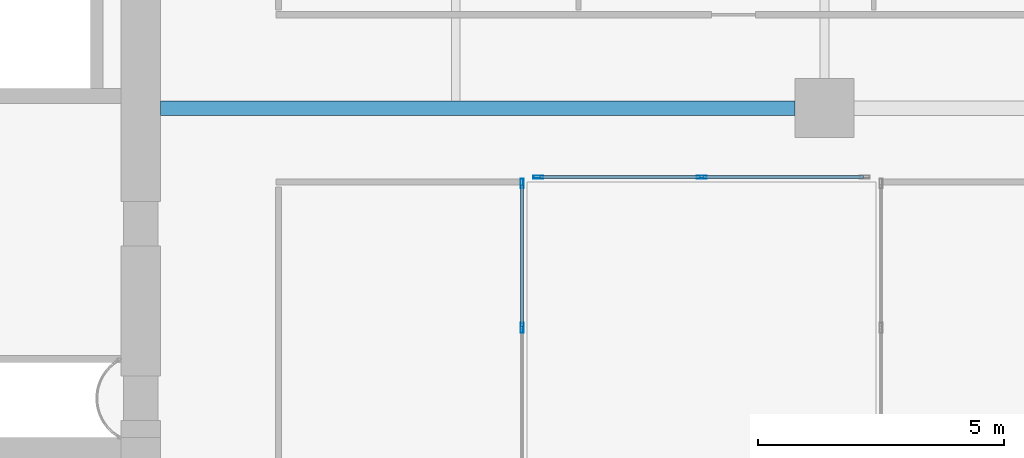
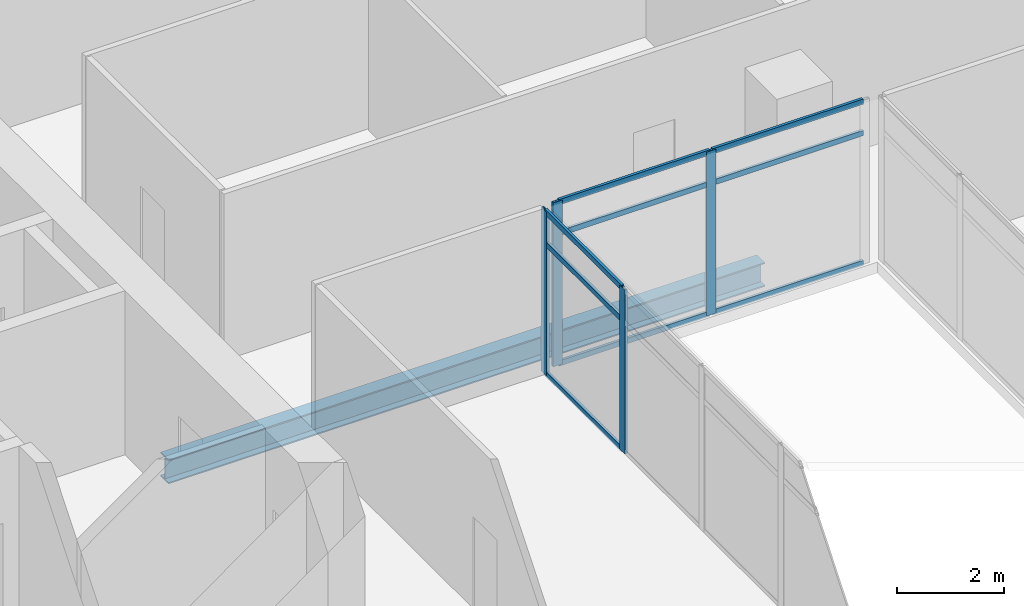
# One storey, part 7 of 40: 13 members, 1 beam, 2 elements without a shape of their own.
"""IFC4 building model written with IfcOpenShell, lengths in metres."""

from ifc_helpers import new_model, si_unit, direction, frame, origin, origin_2d, place, context, subcontext, project, spatial, hollow_rectangle, i_section, extrude, source, transform, mapped, material, material_profile, profile_set, type_object, element, aggregate, save


model = new_model("IFC4")

# Units and contexts
model_context = context("Model", 3, precision=1e-05, world=origin(), true_north=direction((0.0, 1.0)))
body_context = subcontext(model_context, "Body", "Model", "MODEL_VIEW")
ifc_project = project(units=[si_unit("LENGTHUNIT", "METRE"), si_unit("AREAUNIT", "SQUARE_METRE"), si_unit("VOLUMEUNIT", "CUBIC_METRE"), si_unit("PLANEANGLEUNIT", "RADIAN"), si_unit("MASSUNIT", "GRAM", prefix="KILO")], contexts=[model_context])

# Site, building, storey
site_placement = place(None, origin())
site = spatial("IfcSite", under=ifc_project, at=site_placement, CompositionType="ELEMENT")
building_placement = place(site_placement, origin())
building = spatial("IfcBuilding", under=site, at=building_placement, Name="Khomas Fold Tower", CompositionType="ELEMENT")
storey_placement = place(building_placement, frame((0.0, 0.0, 184.699951171875)))
storey = spatial("IfcBuildingStorey", under=building, at=storey_placement, Name="L40", CompositionType="ELEMENT", Elevation=184.699951171875)

# Beam
ifc_material_1 = material(Name="Steel S355", Category="steel")
ifc_material_profile_1 = material_profile(ifc_material_1, i_section(OverallWidth=0.300048828125, OverallDepth=0.550048828125, WebThickness=0.014892578125, FlangeThickness=0.029052734375, at=origin_2d()), Name="HE 550 B")
ifc_profile_set_1 = profile_set([ifc_material_profile_1], Name="Steel S355")
beam_type = type_object("IfcBeamType", Name="HE 550 B beam GB4", PredefinedType="BEAM", material=ifc_profile_set_1)
shared_shape_1 = source(origin(), body_context, "Body", "SweptSolid", [
    extrude(i_section(OverallWidth=0.300048828125, OverallDepth=0.550048828125, WebThickness=0.014892578125, FlangeThickness=0.029052734375, at=origin_2d()), origin(), (0.0, 0.0, 1.0), 12.89990234375),
])
beam_placement = place(storey_placement, frame((21.0, 22.5, -0.52490234375), z_axis=(1.0, 0.0, 0.0), x_axis=(0.0, 1.0, 0.0)))
element("IfcBeam", 1, at=beam_placement, inside=storey, type_object=beam_type, Name="GB4", PredefinedType="BEAM", context=body_context, shape_type="MappedRepresentation", body=[
    mapped(shared_shape_1, transform((0.0, 0.0, 0.0))),
])

# Curtain wall, members
ifc_material_2 = material(Name="Aluminium framed double glazing", Category="aluminium")
curtain_wall_type = type_object("IfcCurtainWallType", Name="Notch glazing GN-CW", PredefinedType="NOTDEFINED", material=ifc_material_2)
curtain_wall_1_placement = place(storey_placement, origin())
curtain_wall_1 = element("IfcCurtainWall", 2, at=curtain_wall_1_placement, inside=storey, type_object=curtain_wall_type, Name="Notch glazing run", PredefinedType="NOTDEFINED")
ifc_material_3 = material(Name="Aluminium", Category="aluminium")
ifc_material_profile_2 = material_profile(ifc_material_3, hollow_rectangle(XDim=0.06005859375, YDim=0.1201171875, WallThickness=0.00390625, at=origin_2d()), Name="Notch glazing transom GN-CW-T")
ifc_profile_set_2 = profile_set([ifc_material_profile_2], Name="Aluminium")
member_type_1 = type_object("IfcMemberType", Name="Notch glazing transom GN-CW-T", PredefinedType="USERDEFINED", material=ifc_profile_set_2)
shared_shape_2 = source(origin(), body_context, "Body", "SweptSolid", [
    extrude(hollow_rectangle(XDim=0.06005859375, YDim=0.1201171875, WallThickness=0.00390625, at=origin_2d()), origin(), (0.0, 0.0, 1.0), 2.876708984375),
])
member_1_placement = place(storey_placement, frame((28.35009765625, 18.063232421875, 0.030029296875), z_axis=(0.0, 1.0, 0.0), x_axis=(-1.0, 0.0, 0.0)))
member_1 = element("IfcMember", 3, at=member_1_placement, type_object=member_type_1, Name="GN-CW transom 6.1", ObjectType="TRANSOM", PredefinedType="USERDEFINED", context=body_context, shape_type="MappedRepresentation", body=[
    mapped(shared_shape_2, transform((0.0, 0.0, 0.0))),
])
member_2_placement = place(storey_placement, frame((28.35009765625, 18.063232421875, 3.0), z_axis=(0.0, 1.0, 0.0), x_axis=(-1.0, 0.0, 0.0)))
member_2 = element("IfcMember", 4, at=member_2_placement, type_object=member_type_1, Name="GN-CW transom 6.2", ObjectType="TRANSOM", PredefinedType="USERDEFINED", context=body_context, shape_type="MappedRepresentation", body=[
    mapped(shared_shape_2, transform((0.0, 0.0, 0.0))),
])
member_3_placement = place(storey_placement, frame((28.35009765625, 18.063232421875, 3.719970703125), z_axis=(0.0, 1.0, 0.0), x_axis=(-1.0, 0.0, 0.0)))
member_3 = element("IfcMember", 5, at=member_3_placement, type_object=member_type_1, Name="GN-CW transom 6.3", ObjectType="TRANSOM", PredefinedType="USERDEFINED", context=body_context, shape_type="MappedRepresentation", body=[
    mapped(shared_shape_2, transform((0.0, 0.0, 0.0))),
])
ifc_material_4 = material(Name="Aluminium", Category="aluminium")
ifc_material_profile_3 = material_profile(ifc_material_4, hollow_rectangle(XDim=0.06005859375, YDim=0.199951171875, WallThickness=0.00390625, at=origin_2d()), Name="Notch glazing mullion GN-CW-M")
ifc_profile_set_3 = profile_set([ifc_material_profile_3], Name="Aluminium")
member_type_2 = type_object("IfcMemberType", Name="Notch glazing mullion GN-CW-M", PredefinedType="MULLION", material=ifc_profile_set_3)
shared_shape_3 = source(origin(), body_context, "Body", "SweptSolid", [
    extrude(hollow_rectangle(XDim=0.06005859375, YDim=0.199951171875, WallThickness=0.00390625, at=origin_2d()), origin(), (0.0, 0.0, 1.0), 3.75),
])
member_4_placement = place(storey_placement, frame((28.35009765625, 18.033447265625, 0.0), z_axis=(0.0, 0.0, 1.0), x_axis=(-1.0, 0.0, 0.0)))
member_4 = element("IfcMember", 6, at=member_4_placement, type_object=member_type_2, Name="GN-CW mullion 6", PredefinedType="MULLION", context=body_context, shape_type="MappedRepresentation", body=[
    mapped(shared_shape_3, transform((0.0, 0.0, 0.0))),
])
member_5_placement = place(storey_placement, frame((28.35009765625, 20.969970703125, 0.0), z_axis=(0.0, 0.0, 1.0), x_axis=(-1.0, 0.0, 0.0)))
member_5 = element("IfcMember", 7, at=member_5_placement, type_object=member_type_2, Name="GN-CW mullion 7", PredefinedType="MULLION", context=body_context, shape_type="MappedRepresentation", body=[
    mapped(shared_shape_3, transform((0.0, 0.0, 0.0))),
])
aggregate(curtain_wall_1, [member_4, member_5, member_1, member_2, member_3])

curtain_wall_2_placement = place(storey_placement, origin())
curtain_wall_2 = element("IfcCurtainWall", 8, at=curtain_wall_2_placement, inside=storey, type_object=curtain_wall_type, Name="Notch glazing run", PredefinedType="NOTDEFINED")
member_6_placement = place(storey_placement, frame((28.679931640625, 21.10009765625, 0.0), z_axis=(0.0, 0.0, 1.0), x_axis=(0.0, 1.0, 0.0)))
member_6 = element("IfcMember", 9, at=member_6_placement, type_object=member_type_2, Name="GN-CW mullion 1", PredefinedType="MULLION", context=body_context, shape_type="MappedRepresentation", body=[
    mapped(shared_shape_3, transform((0.0, 0.0, 0.0))),
])
member_7_placement = place(storey_placement, frame((32.0, 21.10009765625, 0.0), z_axis=(0.0, 0.0, 1.0), x_axis=(0.0, 1.0, 0.0)))
member_7 = element("IfcMember", 10, at=member_7_placement, type_object=member_type_2, Name="GN-CW mullion 2", PredefinedType="MULLION", context=body_context, shape_type="MappedRepresentation", body=[
    mapped(shared_shape_3, transform((0.0, 0.0, 0.0))),
])
shared_shape_4 = source(origin(), body_context, "Body", "SweptSolid", [
    extrude(hollow_rectangle(XDim=0.06005859375, YDim=0.1201171875, WallThickness=0.00390625, at=origin_2d()), origin(), (0.0, 0.0, 1.0), 3.260009765625),
])
member_8_placement = place(storey_placement, frame((28.7099609375, 21.10009765625, 0.030029296875), z_axis=(1.0, 0.0, 0.0), x_axis=(0.0, 1.0, 0.0)))
member_8 = element("IfcMember", 11, at=member_8_placement, type_object=member_type_1, Name="GN-CW transom 1.1", ObjectType="TRANSOM", PredefinedType="USERDEFINED", context=body_context, shape_type="MappedRepresentation", body=[
    mapped(shared_shape_4, transform((0.0, 0.0, 0.0))),
])
member_9_placement = place(storey_placement, frame((28.7099609375, 21.10009765625, 3.0), z_axis=(1.0, 0.0, 0.0), x_axis=(0.0, 1.0, 0.0)))
member_9 = element("IfcMember", 12, at=member_9_placement, type_object=member_type_1, Name="GN-CW transom 1.2", ObjectType="TRANSOM", PredefinedType="USERDEFINED", context=body_context, shape_type="MappedRepresentation", body=[
    mapped(shared_shape_4, transform((0.0, 0.0, 0.0))),
])
member_10_placement = place(storey_placement, frame((28.7099609375, 21.10009765625, 3.719970703125), z_axis=(1.0, 0.0, 0.0), x_axis=(0.0, 1.0, 0.0)))
member_10 = element("IfcMember", 13, at=member_10_placement, type_object=member_type_1, Name="GN-CW transom 1.3", ObjectType="TRANSOM", PredefinedType="USERDEFINED", context=body_context, shape_type="MappedRepresentation", body=[
    mapped(shared_shape_4, transform((0.0, 0.0, 0.0))),
])
member_11_placement = place(storey_placement, frame((32.030029296875, 21.10009765625, 0.030029296875), z_axis=(1.0, 0.0, 0.0), x_axis=(0.0, 1.0, 0.0)))
member_11 = element("IfcMember", 14, at=member_11_placement, type_object=member_type_1, Name="GN-CW transom 2.1", ObjectType="TRANSOM", PredefinedType="USERDEFINED", context=body_context, shape_type="MappedRepresentation", body=[
    mapped(shared_shape_4, transform((0.0, 0.0, 0.0))),
])
member_12_placement = place(storey_placement, frame((32.030029296875, 21.10009765625, 3.0), z_axis=(1.0, 0.0, 0.0), x_axis=(0.0, 1.0, 0.0)))
member_12 = element("IfcMember", 15, at=member_12_placement, type_object=member_type_1, Name="GN-CW transom 2.2", ObjectType="TRANSOM", PredefinedType="USERDEFINED", context=body_context, shape_type="MappedRepresentation", body=[
    mapped(shared_shape_4, transform((0.0, 0.0, 0.0))),
])
member_13_placement = place(storey_placement, frame((32.030029296875, 21.10009765625, 3.719970703125), z_axis=(1.0, 0.0, 0.0), x_axis=(0.0, 1.0, 0.0)))
member_13 = element("IfcMember", 16, at=member_13_placement, type_object=member_type_1, Name="GN-CW transom 2.3", ObjectType="TRANSOM", PredefinedType="USERDEFINED", context=body_context, shape_type="MappedRepresentation", body=[
    mapped(shared_shape_4, transform((0.0, 0.0, 0.0))),
])
aggregate(curtain_wall_2, [member_6, member_7, member_8, member_9, member_10, member_11, member_12, member_13])

save(model, "model.ifc")
